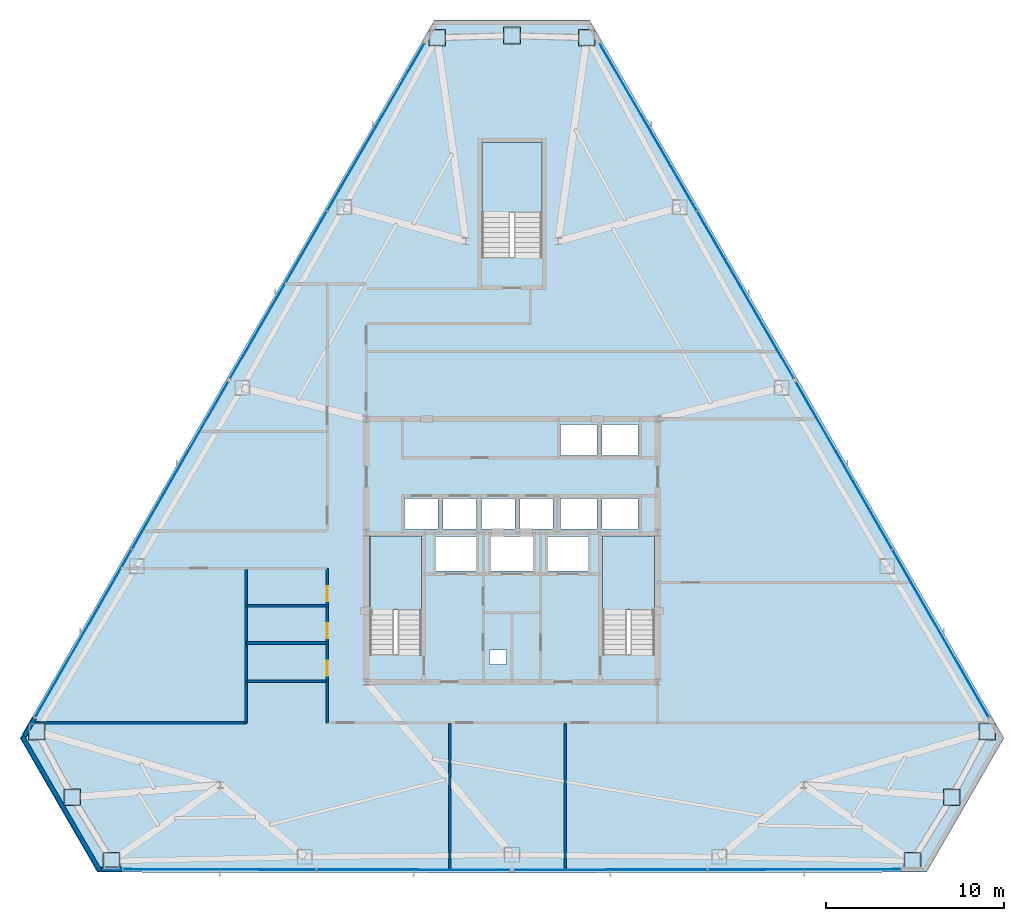
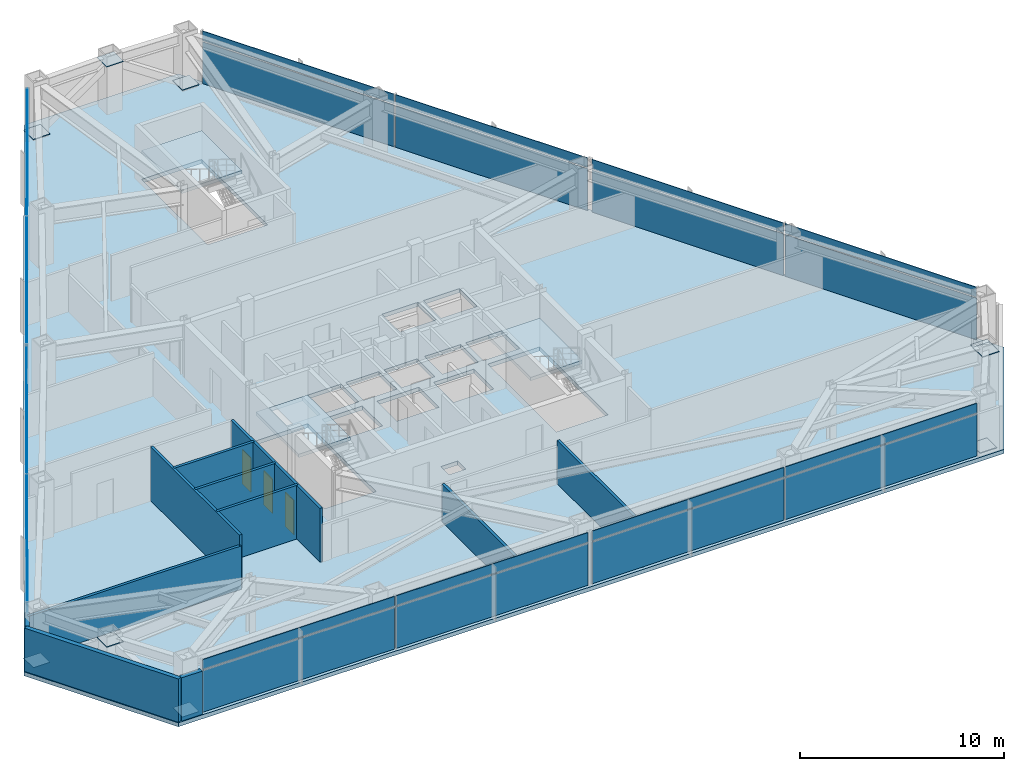
# One storey, part 9 of 12: 33 plates, 11 walls, 4 slabs, 3 doors, 3 openings, 9 elements without a shape of their own.
"""IFC4 building model written with IfcOpenShell, lengths in metres."""

from ifc_helpers import new_model, si_unit, direction, frame, frame_2d, origin, origin_2d, place, context, subcontext, project, spatial, polyline, rectangle, outline, extrude, source, transform, mapped, material, layer, layer_set, type_object, type_shapes, element, fill, aggregate, save


model = new_model("IFC4")

# Units and contexts
model_context = context("Model", 3, precision=1e-05, world=origin(), true_north=direction((0.0, 1.0)))
body_context = subcontext(model_context, "Body", "Model", "MODEL_VIEW")
ifc_project = project(units=[si_unit("LENGTHUNIT", "METRE"), si_unit("AREAUNIT", "SQUARE_METRE"), si_unit("VOLUMEUNIT", "CUBIC_METRE"), si_unit("PLANEANGLEUNIT", "RADIAN"), si_unit("MASSUNIT", "GRAM", prefix="KILO")], contexts=[model_context])

# Site, building, storey
site_placement = place(None, origin())
site = spatial("IfcSite", under=ifc_project, at=site_placement, CompositionType="ELEMENT")
building_placement = place(site_placement, origin())
building = spatial("IfcBuilding", under=site, at=building_placement, Name="Varakhsha Concourse Tower", CompositionType="ELEMENT")
storey_placement = place(building_placement, frame((0.0, 0.0, 119.449951171875)))
storey = spatial("IfcBuildingStorey", under=building, at=storey_placement, Name="L34", CompositionType="ELEMENT", Elevation=119.449951171875)

# Slab
ifc_material_1 = material(Name="Concrete fc 45 MPa", Category="concrete")
ifc_layer_1 = layer(ifc_material_1, 0.239990234375, Name="SL-FLR-240")
ifc_layer_set_1 = layer_set([ifc_layer_1], Name="Concrete fc 45 MPa")
slab_type_1 = type_object("IfcSlabType", Name="SL-FLR-240", PredefinedType="FLOOR", material=ifc_layer_set_1)
slab_1_placement = place(storey_placement, frame((0.0, 0.0, -0.239990234375)))
element("IfcSlab", 1, at=slab_1_placement, inside=storey, type_object=slab_type_1, Name="L34 Composite Structural Slab", PredefinedType="FLOOR", context=body_context, shape_type="SweptSolid", body=[
    extrude(outline(polyline([(44.357177734375, 53.6533203125), (35.642822265625, 53.6533203125), (23.943359375, 33.47021484375), (12.314208984375, 13.246826171875), (16.67138671875, 5.699951171875), (40.0, 5.6591796875), (63.32861328125, 5.699951171875), (67.685791015625, 13.246826171875), (56.056640625, 33.47021484375), (44.357177734375, 53.6533203125)]), holes=[polyline([(34.919921875, 17.93994140625), (34.919921875, 24.6298828125), (32.0, 24.6298828125), (32.0, 17.93994140625), (34.919921875, 17.93994140625)]), polyline([(48.02001953125, 17.93994140625), (48.02001953125, 24.6298828125), (45.10009765625, 24.6298828125), (45.10009765625, 17.93994140625), (48.02001953125, 17.93994140625)]), polyline([(41.699951171875, 40.300048828125), (41.699951171875, 46.75), (38.300048828125, 46.75), (38.300048828125, 40.300048828125), (41.699951171875, 40.300048828125)]), polyline([(33.9599609375, 25.0), (35.840087890625, 25.0), (35.840087890625, 26.739990234375), (33.9599609375, 26.739990234375), (33.9599609375, 25.0)]), polyline([(36.1201171875, 25.0), (38.0, 25.0), (38.0, 26.739990234375), (36.1201171875, 26.739990234375), (36.1201171875, 25.0)]), polyline([(38.280029296875, 25.0), (40.159912109375, 25.0), (40.159912109375, 26.739990234375), (38.280029296875, 26.739990234375), (38.280029296875, 25.0)]), polyline([(40.43994140625, 25.0), (42.320068359375, 25.0), (42.320068359375, 26.739990234375), (40.43994140625, 26.739990234375), (40.43994140625, 25.0)]), polyline([(42.739990234375, 29.159912109375), (44.780029296875, 29.159912109375), (44.780029296875, 30.89990234375), (42.739990234375, 30.89990234375), (42.739990234375, 29.159912109375)]), polyline([(45.06005859375, 29.159912109375), (47.10009765625, 29.159912109375), (47.10009765625, 30.89990234375), (45.06005859375, 30.89990234375), (45.06005859375, 29.159912109375)]), polyline([(42.739990234375, 25.0), (44.780029296875, 25.0), (44.780029296875, 26.739990234375), (42.739990234375, 26.739990234375), (42.739990234375, 25.0)]), polyline([(45.06005859375, 25.0), (47.10009765625, 25.0), (47.10009765625, 26.739990234375), (45.06005859375, 26.739990234375), (45.06005859375, 25.0)]), polyline([(35.7099609375, 22.639892578125), (37.989990234375, 22.639892578125), (37.989990234375, 24.60009765625), (35.7099609375, 24.60009765625), (35.7099609375, 22.639892578125)]), polyline([(42.010009765625, 22.639892578125), (44.2900390625, 22.639892578125), (44.2900390625, 24.60009765625), (42.010009765625, 24.60009765625), (42.010009765625, 22.639892578125)]), polyline([(38.81005859375, 22.639892578125), (41.18994140625, 22.639892578125), (41.18994140625, 24.60009765625), (38.81005859375, 24.60009765625), (38.81005859375, 22.639892578125)]), polyline([(38.719970703125, 17.39990234375), (39.679931640625, 17.39990234375), (39.679931640625, 18.199951171875), (38.719970703125, 18.199951171875), (38.719970703125, 17.39990234375)])]), origin(), (0.0, 0.0, 1.0), 0.239990234375),
])

# Stair, slab
stair_type_1 = type_object("IfcStairType", Name="ST-DOGLEG-1360", PredefinedType="HALF_TURN_STAIR", material=ifc_material_1)
stair_1_placement = place(storey_placement, origin())
stair_1 = element("IfcStair", 2, at=stair_1_placement, inside=storey, type_object=stair_type_1, Name="L34 Protected Exit Stair ST1", PredefinedType="HALF_TURN_STAIR")
ifc_layer_2 = layer(ifc_material_1, 0.199951171875, Name="SL-LAND-200")
ifc_layer_set_2 = layer_set([ifc_layer_2], Name="Concrete fc 45 MPa")
slab_type_2 = type_object("IfcSlabType", Name="SL-LAND-200", PredefinedType="LANDING", material=ifc_layer_set_2)
slab_2_placement = place(storey_placement, frame((0.0, 0.0, 1.525146484375)))
slab_2 = element("IfcSlab", 3, at=slab_2_placement, type_object=slab_type_2, Name="ST1 landing 1", PredefinedType="LANDING", context=body_context, shape_type="SweptSolid", body=[
    extrude(outline(polyline([(34.919921875, 20.4599609375), (34.919921875, 24.6298828125), (32.0, 24.6298828125), (32.0, 20.4599609375), (34.919921875, 20.4599609375)])), origin(), (0.0, 0.0, 1.0), 0.199951171875),
])
aggregate(stair_1, [slab_2])

stair_2_placement = place(storey_placement, origin())
stair_2 = element("IfcStair", 4, at=stair_2_placement, inside=storey, type_object=stair_type_1, Name="L34 Protected Exit Stair ST2", PredefinedType="HALF_TURN_STAIR")
slab_3_placement = place(storey_placement, frame((0.0, 0.0, 1.525146484375)))
slab_3 = element("IfcSlab", 5, at=slab_3_placement, type_object=slab_type_2, Name="ST2 landing 1", PredefinedType="LANDING", context=body_context, shape_type="SweptSolid", body=[
    extrude(outline(polyline([(48.02001953125, 20.4599609375), (48.02001953125, 24.6298828125), (45.10009765625, 24.6298828125), (45.10009765625, 20.4599609375), (48.02001953125, 20.4599609375)])), origin(), (0.0, 0.0, 1.0), 0.199951171875),
])
aggregate(stair_2, [slab_3])

stair_type_2 = type_object("IfcStairType", Name="ST-DOGLEG-1600", PredefinedType="HALF_TURN_STAIR", material=ifc_material_1)
stair_3_placement = place(storey_placement, origin())
stair_3 = element("IfcStair", 6, at=stair_3_placement, inside=storey, type_object=stair_type_2, Name="L34 Protected Exit Stair ST5", PredefinedType="HALF_TURN_STAIR")
slab_4_placement = place(storey_placement, frame((0.0, 0.0, 1.525146484375)))
slab_4 = element("IfcSlab", 7, at=slab_4_placement, type_object=slab_type_2, Name="ST5 landing 1", PredefinedType="LANDING", context=body_context, shape_type="SweptSolid", body=[
    extrude(outline(polyline([(41.699951171875, 42.820068359375), (41.699951171875, 46.75), (38.300048828125, 46.75), (38.300048828125, 42.820068359375), (41.699951171875, 42.820068359375)])), origin(), (0.0, 0.0, 1.0), 0.199951171875),
])
aggregate(stair_3, [slab_4])

# Plates
ifc_material_2 = material(Name="Structural Steel ASTM A572 Grade 50", Category="steel")
ifc_layer_3 = layer(ifc_material_2, 0.030029296875, Name="PL-ENDCAP-950")
ifc_layer_set_3 = layer_set([ifc_layer_3], Name="Structural Steel ASTM A572 Grade 50")
plate_type_1 = type_object("IfcPlateType", Name="PL-ENDCAP-950", PredefinedType="USERDEFINED", material=ifc_layer_set_3)
shared_shape_1 = source(origin(), body_context, "Body", "SweptSolid", [
    extrude(rectangle(XDim=0.949951171875, YDim=0.949951171875, at=origin_2d()), origin(), (0.0, 0.0, 1.0), 0.030029296875),
])
type_shapes(plate_type_1, [shared_shape_1])
for number, where, z_axis, x_axis, name in (
    (8, (44.208984375, 52.652099609375, 0.10498046875), (0.0, 0.0, 1.0), (1.0, 0.0, 0.0), "Hollow Section End Cap GP-NODE-L34-0325"),
    (9, (40.0, 52.773193359375, 2.89501953125), (0.0, 0.0, 1.0), (1.0, 0.0, 0.0), "Hollow Section End Cap GP-NODE-L34-0326"),
    (10, (35.791015625, 52.652099609375, 0.10498046875), (0.0, 0.0, 1.0), (1.0, 0.0, 0.0), "Hollow Section End Cap GP-NODE-L34-0327"),
    (11, (13.255126953125, 13.619140625, 0.10498046875), (0.0, 0.0, 1.0), (1.0, 0.0, 0.0), "Hollow Section End Cap GP-NODE-L34-0328"),
    (12, (15.2548828125, 9.913330078125, 2.89501953125), (0.0, 0.0, 1.0), (1.0, 0.0, 0.0), "Hollow Section End Cap GP-NODE-L34-0329"),
    (13, (17.46435546875, 6.328857421875, 0.10498046875), (0.0, 0.0, 1.0), (1.0, 0.0, 0.0), "Hollow Section End Cap GP-NODE-L34-0330"),
    (14, (62.53564453125, 6.328857421875, 0.10498046875), (0.0, 0.0, 1.0), (1.0, 0.0, 0.0), "Hollow Section End Cap GP-NODE-L34-0331"),
    (15, (64.7451171875, 9.913330078125, 2.89501953125), (0.0, 0.0, 1.0), (1.0, 0.0, 0.0), "Hollow Section End Cap GP-NODE-L34-0332"),
    (16, (66.744873046875, 13.619140625, 0.10498046875), (0.0, 0.0, 1.0), (1.0, 0.0, 0.0), "Hollow Section End Cap GP-NODE-L34-0333"),
):
    element("IfcPlate", number, at=place(storey_placement, frame(where, z_axis=z_axis, x_axis=x_axis)), inside=storey, type_object=plate_type_1, Name=name, ObjectType="END PLATE", PredefinedType="USERDEFINED", context=body_context, shape_type="MappedRepresentation", body=[
        mapped(shared_shape_1, transform((0.0, 0.0, 0.0), scale=1.0)),
    ])

# Curtain wall, plate
ifc_material_3 = material(Name="Anodised Bronze Architectural Aluminium AA 6063-T6", Category="aluminium")
ifc_layer_4 = layer(ifc_material_3, 0.2099609375, Name="CW-SYS-04")
ifc_layer_set_4 = layer_set([ifc_layer_4], Name="Anodised Bronze Architectural Aluminium AA 6063-T6")
curtain_wall_type = type_object("IfcCurtainWallType", Name="CW-SYS-04", PredefinedType="NOTDEFINED", material=ifc_layer_set_4)
curtain_wall_1_placement = place(storey_placement, origin())
curtain_wall_1 = element("IfcCurtainWall", 17, at=curtain_wall_1_placement, inside=storey, type_object=curtain_wall_type, Name="L34 Crystal Curtain Wall F2", PredefinedType="NOTDEFINED")
ifc_material_4 = material(Name="Low-E Triple Insulating Glass IGU 44 mm", Category="glass")
ifc_layer_5 = layer(ifc_material_4, 0.0439453125, Name="CWP-IGU-44")
ifc_layer_set_5 = layer_set([ifc_layer_5], Name="Low-E Triple Insulating Glass IGU 44 mm")
plate_type_2 = type_object("IfcPlateType", Name="CWP-IGU-44", PredefinedType="CURTAIN_PANEL", material=ifc_layer_set_5)
shared_shape_2 = source(origin(), body_context, "Body", "SweptSolid", [
    extrude(rectangle(XDim=10.83544921875, YDim=0.0439453125, at=origin_2d()), origin(), (0.0, 0.0, 1.0), 2.490966796875),
])
plate_1_placement = place(storey_placement, frame((26.858642578125, 38.1806640625, 0.03466796875), z_axis=(0.0, 0.0, 1.0), x_axis=(0.501513757105, 0.865149669962, 0.0)))
plate_1 = element("IfcPlate", 18, at=plate_1_placement, type_object=plate_type_2, Name="CW-L34-F2 Panel 00-00", PredefinedType="CURTAIN_PANEL", context=body_context, shape_type="MappedRepresentation", body=[
    mapped(shared_shape_2, transform((0.0, 0.0, 0.0), scale=1.0)),
])

curtain_wall_2_placement = place(storey_placement, origin())
curtain_wall_2 = element("IfcCurtainWall", 19, at=curtain_wall_2_placement, inside=storey, type_object=curtain_wall_type, Name="L34 Crystal Curtain Wall F9", PredefinedType="NOTDEFINED")
plate_2_placement = place(storey_placement, frame((47.667724609375, 47.623046875, 0.03466796875), z_axis=(0.0, 0.0, 1.0), x_axis=(0.501513757105, -0.865149669962, 0.0)))
plate_2 = element("IfcPlate", 20, at=plate_2_placement, type_object=plate_type_2, Name="CW-L34-F9 Panel 00-00", PredefinedType="CURTAIN_PANEL", context=body_context, shape_type="MappedRepresentation", body=[
    mapped(shared_shape_2, transform((0.0, 0.0, 0.0), scale=1.0)),
])

# Plate
ifc_material_5 = material(Name="Glazed Turquoise-Bronze Ceramic Spandrel Panel 38 mm", Category="ceramic")
ifc_layer_6 = layer(ifc_material_5, 0.0380859375, Name="CWP-SPN-38")
ifc_layer_set_6 = layer_set([ifc_layer_6], Name="Glazed Turquoise-Bronze Ceramic Spandrel Panel 38 mm")
plate_type_3 = type_object("IfcPlateType", Name="CWP-SPN-38", PredefinedType="USERDEFINED", material=ifc_layer_set_6)
shared_shape_3 = source(origin(), body_context, "Body", "SweptSolid", [
    extrude(rectangle(XDim=10.83544921875, YDim=0.0380859375, at=origin_2d()), origin(), (0.0, 0.0, 1.0), 0.5810546875),
])
plate_3_placement = place(storey_placement, frame((26.858642578125, 38.1806640625, 2.594482421875), z_axis=(0.0, 0.0, 1.0), x_axis=(0.501513757105, 0.865149669962, 0.0)))
plate_3 = element("IfcPlate", 21, at=plate_3_placement, type_object=plate_type_3, Name="CW-L34-F2 Panel 00-01", ObjectType="SPANDREL", PredefinedType="USERDEFINED", context=body_context, shape_type="MappedRepresentation", body=[
    mapped(shared_shape_3, transform((0.0, 0.0, 0.0), scale=1.0)),
])

plate_4_placement = place(storey_placement, frame((47.667724609375, 47.623046875, 2.594482421875), z_axis=(0.0, 0.0, 1.0), x_axis=(0.501513757105, -0.865149669962, 0.0)))
plate_4 = element("IfcPlate", 22, at=plate_4_placement, type_object=plate_type_3, Name="CW-L34-F9 Panel 00-01", ObjectType="SPANDREL", PredefinedType="USERDEFINED", context=body_context, shape_type="MappedRepresentation", body=[
    mapped(shared_shape_3, transform((0.0, 0.0, 0.0), scale=1.0)),
])

shared_shape_4 = source(origin(), body_context, "Body", "SweptSolid", [
    extrude(rectangle(XDim=10.835205078125, YDim=0.0439453125, at=origin_2d()), origin(), (0.0, 0.0, 1.0), 2.490966796875),
])
type_shapes(plate_type_2, [shared_shape_2, shared_shape_4])
plate_5_placement = place(storey_placement, frame((32.33251953125, 47.623046875, 0.03466796875), z_axis=(0.0, 0.0, 1.0), x_axis=(0.501513757105, 0.865149669962, 0.0)))
plate_5 = element("IfcPlate", 23, at=plate_5_placement, type_object=plate_type_2, Name="CW-L34-F2 Panel 01-00", PredefinedType="CURTAIN_PANEL", context=body_context, shape_type="MappedRepresentation", body=[
    mapped(shared_shape_4, transform((0.0, 0.0, 0.0), scale=1.0)),
])

# Curtain wall, plates
curtain_wall_3_placement = place(storey_placement, origin())
curtain_wall_3 = element("IfcCurtainWall", 24, at=curtain_wall_3_placement, inside=storey, type_object=curtain_wall_type, Name="L34 Crystal Curtain Wall F3", PredefinedType="NOTDEFINED")
plate_6_placement = place(storey_placement, frame((15.881103515625, 19.12890625, 0.03466796875), z_axis=(0.0, 0.0, 1.0), x_axis=(0.498489252773, 0.866895878909, 0.0)))
plate_6 = element("IfcPlate", 25, at=plate_6_placement, type_object=plate_type_2, Name="CW-L34-F3 Panel 00-00", PredefinedType="CURTAIN_PANEL", context=body_context, shape_type="MappedRepresentation", body=[
    mapped(shared_shape_4, transform((0.0, 0.0, 0.0), scale=1.0)),
])
plate_7_placement = place(storey_placement, frame((21.32177734375, 28.59033203125, 0.03466796875), z_axis=(0.0, 0.0, 1.0), x_axis=(0.498489252773, 0.866895878909, 0.0)))
plate_7 = element("IfcPlate", 26, at=plate_7_placement, type_object=plate_type_2, Name="CW-L34-F3 Panel 01-00", PredefinedType="CURTAIN_PANEL", context=body_context, shape_type="MappedRepresentation", body=[
    mapped(shared_shape_4, transform((0.0, 0.0, 0.0), scale=1.0)),
])

curtain_wall_4_placement = place(storey_placement, origin())
curtain_wall_4 = element("IfcCurtainWall", 27, at=curtain_wall_4_placement, inside=storey, type_object=curtain_wall_type, Name="L34 Crystal Curtain Wall F5", PredefinedType="NOTDEFINED")
plate_8_placement = place(storey_placement, frame((34.463134765625, 5.828857421875, 0.03466796875), z_axis=(0.0, 0.0, 1.0), x_axis=(-0.999998476913, 0.001745328366, 0.0)))
plate_8 = element("IfcPlate", 28, at=plate_8_placement, type_object=plate_type_2, Name="CW-L34-F5 Panel 00-00", PredefinedType="CURTAIN_PANEL", context=body_context, shape_type="MappedRepresentation", body=[
    mapped(shared_shape_4, transform((0.0, 0.0, 0.0), scale=1.0)),
])
plate_9_placement = place(storey_placement, frame((23.548828125, 5.847900390625, 0.03466796875), z_axis=(0.0, 0.0, 1.0), x_axis=(-0.999998476913, 0.001745328366, 0.0)))
plate_9 = element("IfcPlate", 29, at=plate_9_placement, type_object=plate_type_2, Name="CW-L34-F5 Panel 01-00", PredefinedType="CURTAIN_PANEL", context=body_context, shape_type="MappedRepresentation", body=[
    mapped(shared_shape_4, transform((0.0, 0.0, 0.0), scale=1.0)),
])

curtain_wall_5_placement = place(storey_placement, origin())
curtain_wall_5 = element("IfcCurtainWall", 30, at=curtain_wall_5_placement, inside=storey, type_object=curtain_wall_type, Name="L34 Crystal Curtain Wall F6", PredefinedType="NOTDEFINED")
plate_10_placement = place(storey_placement, frame((56.451171875, 5.847900390625, 0.03466796875), z_axis=(0.0, 0.0, 1.0), x_axis=(-0.999998476913, -0.001745328366, 0.0)))
plate_10 = element("IfcPlate", 31, at=plate_10_placement, type_object=plate_type_2, Name="CW-L34-F6 Panel 00-00", PredefinedType="CURTAIN_PANEL", context=body_context, shape_type="MappedRepresentation", body=[
    mapped(shared_shape_4, transform((0.0, 0.0, 0.0), scale=1.0)),
])
plate_11_placement = place(storey_placement, frame((45.536865234375, 5.828857421875, 0.03466796875), z_axis=(0.0, 0.0, 1.0), x_axis=(-0.999998476913, -0.001745328366, 0.0)))
plate_11 = element("IfcPlate", 32, at=plate_11_placement, type_object=plate_type_2, Name="CW-L34-F6 Panel 01-00", PredefinedType="CURTAIN_PANEL", context=body_context, shape_type="MappedRepresentation", body=[
    mapped(shared_shape_4, transform((0.0, 0.0, 0.0), scale=1.0)),
])

curtain_wall_6_placement = place(storey_placement, origin())
curtain_wall_6 = element("IfcCurtainWall", 33, at=curtain_wall_6_placement, inside=storey, type_object=curtain_wall_type, Name="L34 Crystal Curtain Wall F8", PredefinedType="NOTDEFINED")
plate_12_placement = place(storey_placement, frame((58.67822265625, 28.59033203125, 0.03466796875), z_axis=(0.0, 0.0, 1.0), x_axis=(0.498489252773, -0.866895878909, 0.0)))
plate_12 = element("IfcPlate", 34, at=plate_12_placement, type_object=plate_type_2, Name="CW-L34-F8 Panel 00-00", PredefinedType="CURTAIN_PANEL", context=body_context, shape_type="MappedRepresentation", body=[
    mapped(shared_shape_4, transform((0.0, 0.0, 0.0), scale=1.0)),
])
plate_13_placement = place(storey_placement, frame((64.118896484375, 19.12890625, 0.03466796875), z_axis=(0.0, 0.0, 1.0), x_axis=(0.498489252773, -0.866895878909, 0.0)))
plate_13 = element("IfcPlate", 35, at=plate_13_placement, type_object=plate_type_2, Name="CW-L34-F8 Panel 01-00", PredefinedType="CURTAIN_PANEL", context=body_context, shape_type="MappedRepresentation", body=[
    mapped(shared_shape_4, transform((0.0, 0.0, 0.0), scale=1.0)),
])

# Plate
plate_14_placement = place(storey_placement, frame((53.141357421875, 38.1806640625, 0.03466796875), z_axis=(0.0, 0.0, 1.0), x_axis=(0.501513757105, -0.865149669962, 0.0)))
plate_14 = element("IfcPlate", 36, at=plate_14_placement, type_object=plate_type_2, Name="CW-L34-F9 Panel 01-00", PredefinedType="CURTAIN_PANEL", context=body_context, shape_type="MappedRepresentation", body=[
    mapped(shared_shape_4, transform((0.0, 0.0, 0.0), scale=1.0)),
])

shared_shape_5 = source(origin(), body_context, "Body", "SweptSolid", [
    extrude(rectangle(XDim=10.835205078125, YDim=0.0380859375, at=origin_2d()), origin(), (0.0, 0.0, 1.0), 0.5810546875),
])
type_shapes(plate_type_3, [shared_shape_3, shared_shape_5])
plate_15_placement = place(storey_placement, frame((32.33251953125, 47.623046875, 2.594482421875), z_axis=(0.0, 0.0, 1.0), x_axis=(0.501513757105, 0.865149669962, 0.0)))
plate_15 = element("IfcPlate", 37, at=plate_15_placement, type_object=plate_type_3, Name="CW-L34-F2 Panel 01-01", ObjectType="SPANDREL", PredefinedType="USERDEFINED", context=body_context, shape_type="MappedRepresentation", body=[
    mapped(shared_shape_5, transform((0.0, 0.0, 0.0), scale=1.0)),
])

aggregate(curtain_wall_1, [plate_1, plate_3, plate_5, plate_15])

plate_16_placement = place(storey_placement, frame((15.881103515625, 19.12890625, 2.594482421875), z_axis=(0.0, 0.0, 1.0), x_axis=(0.498489252773, 0.866895878909, 0.0)))
plate_16 = element("IfcPlate", 38, at=plate_16_placement, type_object=plate_type_3, Name="CW-L34-F3 Panel 00-01", ObjectType="SPANDREL", PredefinedType="USERDEFINED", context=body_context, shape_type="MappedRepresentation", body=[
    mapped(shared_shape_5, transform((0.0, 0.0, 0.0), scale=1.0)),
])

plate_17_placement = place(storey_placement, frame((21.32177734375, 28.59033203125, 2.594482421875), z_axis=(0.0, 0.0, 1.0), x_axis=(0.498489252773, 0.866895878909, 0.0)))
plate_17 = element("IfcPlate", 39, at=plate_17_placement, type_object=plate_type_3, Name="CW-L34-F3 Panel 01-01", ObjectType="SPANDREL", PredefinedType="USERDEFINED", context=body_context, shape_type="MappedRepresentation", body=[
    mapped(shared_shape_5, transform((0.0, 0.0, 0.0), scale=1.0)),
])

aggregate(curtain_wall_3, [plate_6, plate_16, plate_7, plate_17])

plate_18_placement = place(storey_placement, frame((34.463134765625, 5.828857421875, 2.594482421875), z_axis=(0.0, 0.0, 1.0), x_axis=(-0.999998476913, 0.001745328366, 0.0)))
plate_18 = element("IfcPlate", 40, at=plate_18_placement, type_object=plate_type_3, Name="CW-L34-F5 Panel 00-01", ObjectType="SPANDREL", PredefinedType="USERDEFINED", context=body_context, shape_type="MappedRepresentation", body=[
    mapped(shared_shape_5, transform((0.0, 0.0, 0.0), scale=1.0)),
])

plate_19_placement = place(storey_placement, frame((23.548828125, 5.847900390625, 2.594482421875), z_axis=(0.0, 0.0, 1.0), x_axis=(-0.999998476913, 0.001745328366, 0.0)))
plate_19 = element("IfcPlate", 41, at=plate_19_placement, type_object=plate_type_3, Name="CW-L34-F5 Panel 01-01", ObjectType="SPANDREL", PredefinedType="USERDEFINED", context=body_context, shape_type="MappedRepresentation", body=[
    mapped(shared_shape_5, transform((0.0, 0.0, 0.0), scale=1.0)),
])

aggregate(curtain_wall_4, [plate_8, plate_18, plate_9, plate_19])

plate_20_placement = place(storey_placement, frame((56.451171875, 5.847900390625, 2.594482421875), z_axis=(0.0, 0.0, 1.0), x_axis=(-0.999998476913, -0.001745328366, 0.0)))
plate_20 = element("IfcPlate", 42, at=plate_20_placement, type_object=plate_type_3, Name="CW-L34-F6 Panel 00-01", ObjectType="SPANDREL", PredefinedType="USERDEFINED", context=body_context, shape_type="MappedRepresentation", body=[
    mapped(shared_shape_5, transform((0.0, 0.0, 0.0), scale=1.0)),
])

plate_21_placement = place(storey_placement, frame((45.536865234375, 5.828857421875, 2.594482421875), z_axis=(0.0, 0.0, 1.0), x_axis=(-0.999998476913, -0.001745328366, 0.0)))
plate_21 = element("IfcPlate", 43, at=plate_21_placement, type_object=plate_type_3, Name="CW-L34-F6 Panel 01-01", ObjectType="SPANDREL", PredefinedType="USERDEFINED", context=body_context, shape_type="MappedRepresentation", body=[
    mapped(shared_shape_5, transform((0.0, 0.0, 0.0), scale=1.0)),
])

aggregate(curtain_wall_5, [plate_10, plate_20, plate_11, plate_21])

plate_22_placement = place(storey_placement, frame((58.67822265625, 28.59033203125, 2.594482421875), z_axis=(0.0, 0.0, 1.0), x_axis=(0.498489252773, -0.866895878909, 0.0)))
plate_22 = element("IfcPlate", 44, at=plate_22_placement, type_object=plate_type_3, Name="CW-L34-F8 Panel 00-01", ObjectType="SPANDREL", PredefinedType="USERDEFINED", context=body_context, shape_type="MappedRepresentation", body=[
    mapped(shared_shape_5, transform((0.0, 0.0, 0.0), scale=1.0)),
])

plate_23_placement = place(storey_placement, frame((64.118896484375, 19.12890625, 2.594482421875), z_axis=(0.0, 0.0, 1.0), x_axis=(0.498489252773, -0.866895878909, 0.0)))
plate_23 = element("IfcPlate", 45, at=plate_23_placement, type_object=plate_type_3, Name="CW-L34-F8 Panel 01-01", ObjectType="SPANDREL", PredefinedType="USERDEFINED", context=body_context, shape_type="MappedRepresentation", body=[
    mapped(shared_shape_5, transform((0.0, 0.0, 0.0), scale=1.0)),
])

aggregate(curtain_wall_6, [plate_12, plate_22, plate_13, plate_23])

plate_24_placement = place(storey_placement, frame((53.141357421875, 38.1806640625, 2.594482421875), z_axis=(0.0, 0.0, 1.0), x_axis=(0.501513757105, -0.865149669962, 0.0)))
plate_24 = element("IfcPlate", 46, at=plate_24_placement, type_object=plate_type_3, Name="CW-L34-F9 Panel 01-01", ObjectType="SPANDREL", PredefinedType="USERDEFINED", context=body_context, shape_type="MappedRepresentation", body=[
    mapped(shared_shape_5, transform((0.0, 0.0, 0.0), scale=1.0)),
])

aggregate(curtain_wall_2, [plate_2, plate_4, plate_14, plate_24])

# Walls
ifc_layer_7 = layer(ifc_material_1, 0.239990234375, Name="WL-EXT-CRN-240")
ifc_layer_set_7 = layer_set([ifc_layer_7], Name="Concrete fc 45 MPa")
wall_type_1 = type_object("IfcWallType", Name="WL-EXT-CRN-240", PredefinedType="SHEAR", material=ifc_layer_set_7)
wall_1_placement = place(storey_placement, frame((13.14208984375, 14.365478515625, 0.0), z_axis=(0.0, 0.0, 1.0), x_axis=(-0.498625017703, -0.866817796149, 0.0)))
element("IfcWall", 47, at=wall_1_placement, inside=storey, type_object=wall_type_1, Name="L34 Wind-Corner Shoulder Wall F3", PredefinedType="SHEAR", context=body_context, shape_type="SweptSolid", body=[
    extrude(rectangle(XDim=1.162353515625, YDim=0.239990234375, at=frame_2d((0.5810546875, 0.0))), origin(), (0.0, 0.0, 1.0), 2.5830078125),
])
wall_2_placement = place(storey_placement, frame((16.81005859375, 5.780029296875, 0.0), z_axis=(0.0, 0.0, 1.0), x_axis=(-0.499998917442, 0.866026028799, 0.0)))
element("IfcWall", 48, at=wall_2_placement, inside=storey, type_object=wall_type_1, Name="L34 Chamfer Wind-Corner Insulated Wall F4", PredefinedType="SHEAR", context=body_context, shape_type="SweptSolid", body=[
    extrude(rectangle(XDim=8.71435546875, YDim=0.239990234375, at=frame_2d((4.357177734375, 0.0))), origin(), (0.0, 0.0, 1.0), 2.5830078125),
])
wall_3_placement = place(storey_placement, frame((16.8916015625, 5.859619140625, 0.0), z_axis=(0.0, 0.0, 1.0), x_axis=(0.999998588859, -0.00167996403, 0.0)))
element("IfcWall", 49, at=wall_3_placement, inside=storey, type_object=wall_type_1, Name="L34 Wind-Corner Shoulder Wall F5", PredefinedType="SHEAR", context=body_context, shape_type="SweptSolid", body=[
    extrude(rectangle(XDim=1.16259765625, YDim=0.239990234375, at=frame_2d((0.581298828125, 0.0))), origin(), (0.0, 0.0, 1.0), 2.5830078125),
])

# Wall, openings, doors
ifc_material_6 = material(Name="Fire-Rated Type X Gypsum Partition Assembly", Category="gypsum")
ifc_layer_8 = layer(ifc_material_6, 0.14990234375, Name="WL-PART-150")
ifc_layer_set_8 = layer_set([ifc_layer_8], Name="Fire-Rated Type X Gypsum Partition Assembly")
wall_type_2 = type_object("IfcWallType", Name="WL-PART-150", PredefinedType="PARTITIONING", material=ifc_layer_set_8)
wall_4_placement = place(storey_placement, frame((29.60009765625, 14.10009765625, 0.0), z_axis=(0.0, 0.0, 1.0), x_axis=(0.0, 1.0, 0.0)))
wall_4 = element("IfcWall", 50, at=wall_4_placement, inside=storey, type_object=wall_type_2, Name="L34 Wall CRW-WS-L34", PredefinedType="PARTITIONING", context=body_context, shape_type="SweptSolid", body=[
    extrude(rectangle(XDim=8.699951171875, YDim=0.14990234375, at=frame_2d((4.35009765625, 0.0))), origin(), (0.0, 0.0, 1.0), 3.2099609375),
])
opening_1_placement = place(wall_4_placement, frame((2.64990234375, 0.0, 0.0)))
opening_1 = element("IfcOpeningElement", 51, at=opening_1_placement, cuts=wall_4, Name="Opening DF-07", PredefinedType="OPENING", context=body_context, shape_type="SweptSolid", body=[
    extrude(rectangle(XDim=0.85009765625, YDim=2.050048828125, at=frame_2d((0.425048828125, 1.02490234375))), frame((0.0, 0.0849609375, 0.0), z_axis=(0.0, -1.0, 0.0), x_axis=(1.0, 0.0, 0.0)), (0.0, 0.0, 1.0), 0.169921875),
])
opening_2_placement = place(wall_4_placement, frame((4.75, 0.0, 0.0)))
opening_2 = element("IfcOpeningElement", 52, at=opening_2_placement, cuts=wall_4, Name="Opening DF-07", PredefinedType="OPENING", context=body_context, shape_type="SweptSolid", body=[
    extrude(rectangle(XDim=0.85009765625, YDim=2.050048828125, at=frame_2d((0.425048828125, 1.02490234375))), frame((0.0, 0.0849609375, 0.0), z_axis=(0.0, -1.0, 0.0), x_axis=(1.0, 0.0, 0.0)), (0.0, 0.0, 1.0), 0.169921875),
])
opening_3_placement = place(wall_4_placement, frame((6.85009765625, 0.0, 0.0)))
opening_3 = element("IfcOpeningElement", 53, at=opening_3_placement, cuts=wall_4, Name="Opening DF-07", PredefinedType="OPENING", context=body_context, shape_type="SweptSolid", body=[
    extrude(rectangle(XDim=0.85009765625, YDim=2.050048828125, at=frame_2d((0.425048828125, 1.02490234375))), frame((0.0, 0.0849609375, 0.0), z_axis=(0.0, -1.0, 0.0), x_axis=(1.0, 0.0, 0.0)), (0.0, 0.0, 1.0), 0.169921875),
])
ifc_material_7 = material(Name="Hollow Galvanised Steel Fire Door Assembly", Category="steel")
door_type = type_object("IfcDoorType", Name="DR-FD60-850", OperationType="NOTDEFINED", PredefinedType="DOOR", material=ifc_material_7)
door_1_placement = place(opening_1_placement, origin())
door_1 = element("IfcDoor", 54, at=door_1_placement, inside=storey, type_object=door_type, Name="L34 Men Restroom WC Door", OperationType="SINGLE_SWING_LEFT", OverallHeight=2.050048828125, OverallWidth=0.85009765625, PredefinedType="DOOR", context=body_context, shape_type="SweptSolid", body=[
    extrude(rectangle(XDim=0.85009765625, YDim=2.050048828125, at=frame_2d((0.425048828125, 1.02490234375))), frame((0.0, 0.02490234375, 0.0), z_axis=(0.0, -1.0, 0.0), x_axis=(1.0, 0.0, 0.0)), (0.0, 0.0, 1.0), 0.050048828125),
])
fill(opening_1, door_1)
door_2_placement = place(opening_2_placement, origin())
door_2 = element("IfcDoor", 55, at=door_2_placement, inside=storey, type_object=door_type, Name="L34 Women Restroom WC Door", OperationType="SINGLE_SWING_LEFT", OverallHeight=2.050048828125, OverallWidth=0.85009765625, PredefinedType="DOOR", context=body_context, shape_type="SweptSolid", body=[
    extrude(rectangle(XDim=0.85009765625, YDim=2.050048828125, at=frame_2d((0.425048828125, 1.02490234375))), frame((0.0, 0.02490234375, 0.0), z_axis=(0.0, -1.0, 0.0), x_axis=(1.0, 0.0, 0.0)), (0.0, 0.0, 1.0), 0.050048828125),
])
fill(opening_2, door_2)
door_3_placement = place(opening_3_placement, origin())
door_3 = element("IfcDoor", 56, at=door_3_placement, inside=storey, type_object=door_type, Name="L34 Accessible WC Door", OperationType="SINGLE_SWING_LEFT", OverallHeight=2.050048828125, OverallWidth=0.85009765625, PredefinedType="DOOR", context=body_context, shape_type="SweptSolid", body=[
    extrude(rectangle(XDim=0.85009765625, YDim=2.050048828125, at=frame_2d((0.425048828125, 1.02490234375))), frame((0.0, 0.02490234375, 0.0), z_axis=(0.0, -1.0, 0.0), x_axis=(1.0, 0.0, 0.0)), (0.0, 0.0, 1.0), 0.050048828125),
])
fill(opening_3, door_3)

# Walls
wall_5_placement = place(storey_placement, frame((25.050048828125, 14.10009765625, 0.0), z_axis=(0.0, 0.0, 1.0), x_axis=(0.0, 1.0, 0.0)))
element("IfcWall", 57, at=wall_5_placement, inside=storey, type_object=wall_type_2, Name="L34 Wall C2WC-W-L34", PredefinedType="PARTITIONING", context=body_context, shape_type="SweptSolid", body=[
    extrude(rectangle(XDim=8.699951171875, YDim=0.14990234375, at=frame_2d((4.35009765625, 0.0))), origin(), (0.0, 0.0, 1.0), 3.2099609375),
])
for number, where, z_axis, x_axis, name in (
    (58, (25.050048828125, 16.449951171875, 0.0), (0.0, 0.0, 1.0), (1.0, 0.0, 0.0), "L34 Wall C2WC-S-L34"),
    (59, (25.050048828125, 18.60009765625, 0.0), (0.0, 0.0, 1.0), (1.0, 0.0, 0.0), "L34 Wall C2WC-D1-L34"),
    (60, (25.050048828125, 20.699951171875, 0.0), (0.0, 0.0, 1.0), (1.0, 0.0, 0.0), "L34 Wall C2WC-D2-L34"),
):
    element("IfcWall", number, at=place(storey_placement, frame(where, z_axis=z_axis, x_axis=x_axis)), inside=storey, type_object=wall_type_2, Name=name, PredefinedType="PARTITIONING", context=body_context, shape_type="SweptSolid", body=[
        extrude(rectangle(XDim=4.550048828125, YDim=0.14990234375, at=frame_2d((2.27490234375, 0.0))), origin(), (0.0, 0.0, 1.0), 3.2099609375),
    ])
wall_6_placement = place(storey_placement, frame((36.5, 5.830322265625, 0.0), z_axis=(0.0, 0.0, 1.0), x_axis=(0.0, 1.0, 0.0)))
element("IfcWall", 61, at=wall_6_placement, inside=storey, type_object=wall_type_2, Name="L34 Wall ODIV-S1-L34", PredefinedType="PARTITIONING", context=body_context, shape_type="SweptSolid", body=[
    extrude(rectangle(XDim=8.269775390625, YDim=0.14990234375, at=frame_2d((4.134765625, 0.0))), origin(), (0.0, 0.0, 1.0), 2.251953125),
])
wall_7_placement = place(storey_placement, frame((43.0, 5.82958984375, 0.0), z_axis=(0.0, 0.0, 1.0), x_axis=(0.0, 1.0, 0.0)))
element("IfcWall", 62, at=wall_7_placement, inside=storey, type_object=wall_type_2, Name="L34 Wall ODIV-S2-L34", PredefinedType="PARTITIONING", context=body_context, shape_type="SweptSolid", body=[
    extrude(rectangle(XDim=8.2705078125, YDim=0.14990234375, at=frame_2d((4.13525390625, 0.0))), origin(), (0.0, 0.0, 1.0), 2.589111328125),
])
wall_8_placement = place(storey_placement, frame((12.9951171875, 14.10009765625, 0.0), z_axis=(0.0, 0.0, 1.0), x_axis=(1.0, 0.0, 0.0)))
element("IfcWall", 63, at=wall_8_placement, inside=storey, type_object=wall_type_2, Name="L34 Wall ODIV-SWB-L34", PredefinedType="PARTITIONING", context=body_context, shape_type="SweptSolid", body=[
    extrude(rectangle(XDim=12.054931640625, YDim=0.14990234375, at=frame_2d((6.02734375, 0.0))), origin(), (0.0, 0.0, 1.0), 2.589111328125),
])

save(model, "model.ifc")
